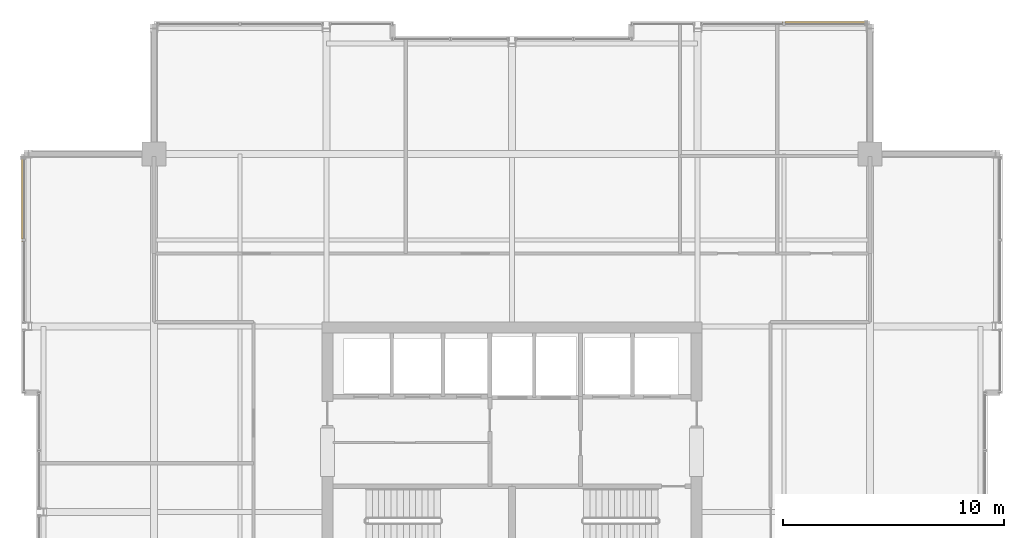
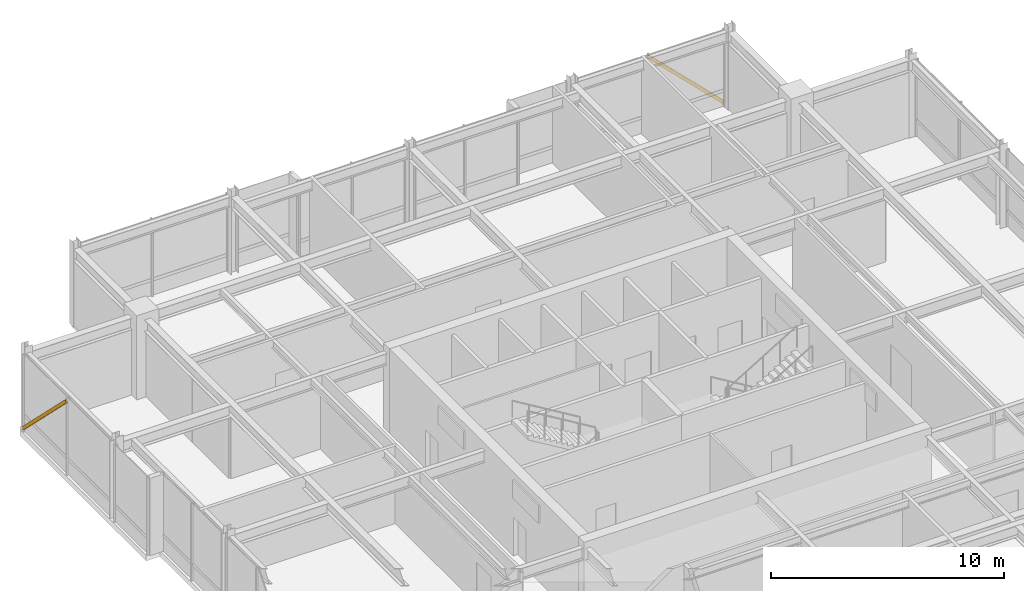
# One storey, part 33 of 33: 2 shading devices.
"""IFC4 building model written with IfcOpenShell, lengths in metres."""

from ifc_helpers import new_model, si_unit, direction, frame, origin, origin_2d, place, context, subcontext, project, spatial, hollow_rectangle, extrude, material, material_profile, profile_set, type_object, element, save


model = new_model("IFC4")

# Units and contexts
model_context = context("Model", 3, precision=1e-05, world=origin(), true_north=direction((0.0, 1.0)))
body_context = subcontext(model_context, "Body", "Model", "MODEL_VIEW")
ifc_project = project(units=[si_unit("LENGTHUNIT", "METRE"), si_unit("AREAUNIT", "SQUARE_METRE"), si_unit("VOLUMEUNIT", "CUBIC_METRE"), si_unit("PLANEANGLEUNIT", "RADIAN"), si_unit("MASSUNIT", "GRAM", prefix="KILO")], contexts=[model_context])

# Site, building, storey
site_placement = place(None, origin())
site = spatial("IfcSite", under=ifc_project, at=site_placement, CompositionType="ELEMENT")
building_placement = place(site_placement, origin())
building = spatial("IfcBuilding", under=site, at=building_placement, Name="Drelvath Grand Hotel", CompositionType="ELEMENT")
storey_placement = place(building_placement, frame((0.0, 0.0, 298.60009765625)))
storey = spatial("IfcBuildingStorey", under=building, at=storey_placement, Name="L78", CompositionType="ELEMENT", Elevation=298.60009765625)

# Shading devices
ifc_material = material(Name="Platinum-Mist Anodised Aluminium", Category="aluminium")
ifc_material_profile = material_profile(ifc_material, hollow_rectangle(XDim=0.06494140625, YDim=0.159912109375, WallThickness=0.00390625, at=origin_2d()), Name="HSS160X65X4")
ifc_profile_set = profile_set([ifc_material_profile], Name="Platinum-Mist Anodised Aluminium")
shading_device_type = type_object("IfcShadingDeviceType", Name="Diagonal Solar Fin Platinum Anodised HSS160X65X4", PredefinedType="USERDEFINED", material=ifc_profile_set)
shading_device_1_placement = place(storey_placement, frame((-22.159912109375, 43.030029296875, 0.179931640625), z_axis=(0.0, -0.710912090036, 0.703280882891), x_axis=(1.0, 0.0, 0.0)))
element("IfcShadingDevice", 1, at=shading_device_1_placement, inside=storey, type_object=shading_device_type, Name="L78 Diagonal Anodised Fin CW05-L78-WN2", ObjectType="FIN", PredefinedType="USERDEFINED", context=body_context, shape_type="SweptSolid", body=[
    extrude(hollow_rectangle(XDim=0.06494140625, YDim=0.159912109375, WallThickness=0.00390625, at=origin_2d()), origin(), (0.0, 0.0, 1.0), 5.246826171875),
])
shading_device_2_placement = place(storey_placement, frame((16.02978515625, 49.159912109375, 0.179931640625), z_axis=(-0.710889074104, 0.0, 0.703304147805), x_axis=(0.0, -1.0, 0.0)))
element("IfcShadingDevice", 2, at=shading_device_2_placement, inside=storey, type_object=shading_device_type, Name="L78 Diagonal Anodised Fin CW05-L78-NE2", ObjectType="FIN", PredefinedType="USERDEFINED", context=body_context, shape_type="SweptSolid", body=[
    extrude(hollow_rectangle(XDim=0.06494140625, YDim=0.159912109375, WallThickness=0.00390625, at=origin_2d()), origin(), (0.0, 0.0, 1.0), 5.24658203125),
])

save(model, "model.ifc")
